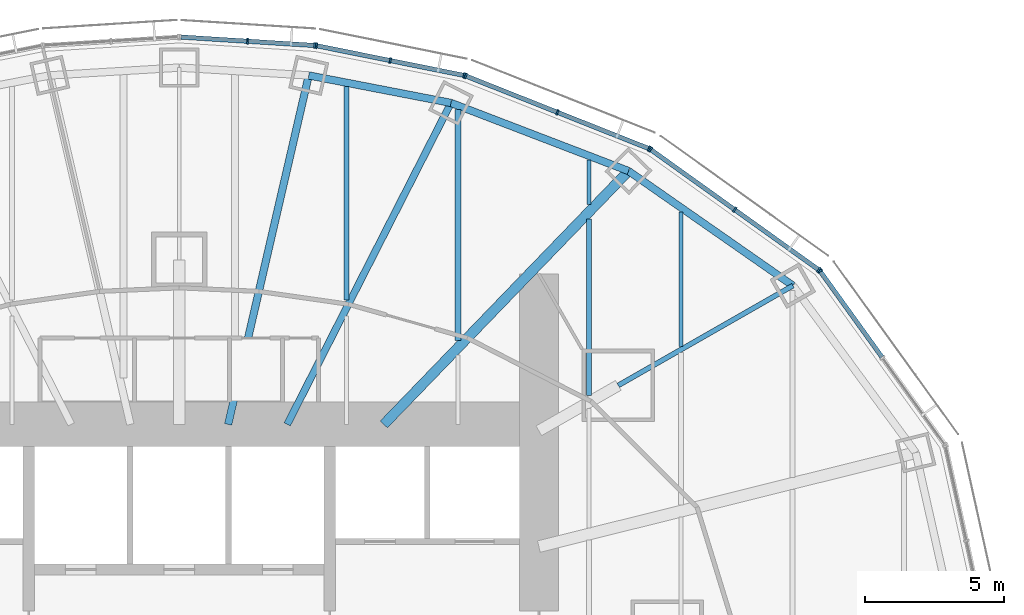
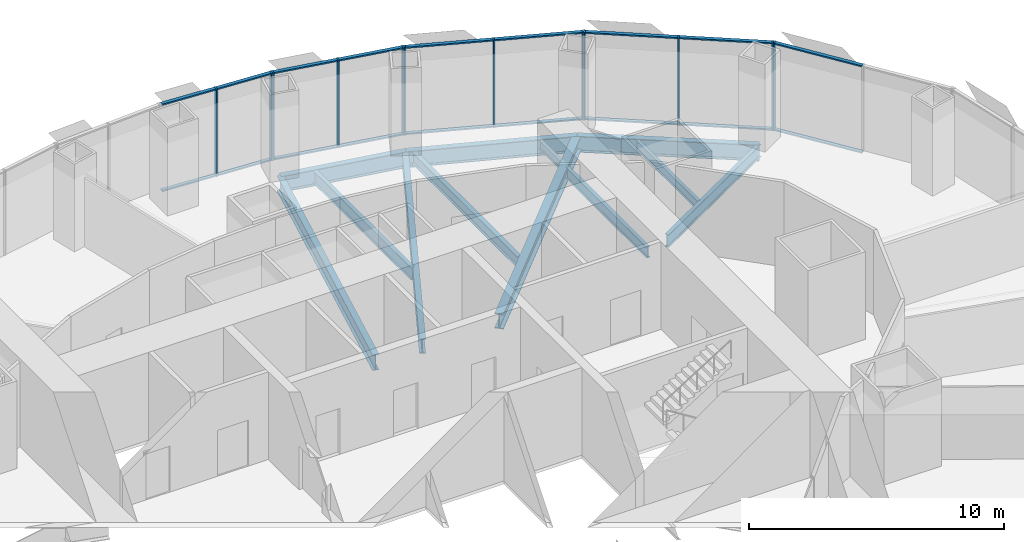
# One storey, part 8 of 18: 30 members, 12 beams, 5 elements without a shape of their own.
"""IFC4 building model written with IfcOpenShell, lengths in metres."""

from ifc_helpers import new_model, si_unit, direction, frame, origin, origin_2d, place, context, subcontext, project, spatial, rectangle, i_section, extrude, material, material_profile, profile_set, type_object, element, aggregate, save


model = new_model("IFC4")

# Units and contexts
model_context = context("Model", 3, precision=1e-05, world=origin(), true_north=direction((0.0, 1.0)))
body_context = subcontext(model_context, "Body", "Model", "MODEL_VIEW")
ifc_project = project(units=[si_unit("LENGTHUNIT", "METRE"), si_unit("AREAUNIT", "SQUARE_METRE"), si_unit("VOLUMEUNIT", "CUBIC_METRE"), si_unit("PLANEANGLEUNIT", "RADIAN"), si_unit("MASSUNIT", "GRAM", prefix="KILO")], contexts=[model_context])

# Site, building, storey
site_placement = place(None, origin())
site = spatial("IfcSite", under=ifc_project, at=site_placement, CompositionType="ELEMENT")
building_placement = place(site_placement, origin())
building = spatial("IfcBuilding", under=site, at=building_placement, Name="Lantaw Convention Tower", CompositionType="ELEMENT")
storey_placement = place(building_placement, frame((0.0, 0.0, 134.199951171875)))
storey = spatial("IfcBuildingStorey", under=building, at=storey_placement, Name="L31", CompositionType="ELEMENT", Elevation=134.199951171875)

# Beams
ifc_material_1 = material(Name="Steel ASTM A992", Category="steel")
ifc_material_profile_1 = material_profile(ifc_material_1, i_section(OverallWidth=0.2666015625, OverallDepth=0.76953125, WebThickness=0.015625, FlangeThickness=0.025390625, FilletRadius=0.0126953125, at=origin_2d()), Name="W30X132")
ifc_profile_set_1 = profile_set([ifc_material_profile_1], Name="Steel ASTM A992")
beam_type_1 = type_object("IfcBeamType", Name="Beam E W30X132", PredefinedType="SPANDREL", material=ifc_profile_set_1)
beam_1_placement = place(storey_placement, frame((22.013916015625, 12.579345703125, -0.53466796875), z_axis=(-0.820310765287, 0.57191804339, 0.0), x_axis=(-0.57191804339, -0.820310765287, 0.0)))
element("IfcBeam", 1, at=beam_1_placement, inside=storey, type_object=beam_type_1, Name="Edge beam 3", PredefinedType="SPANDREL", context=body_context, shape_type="SweptSolid", body=[
    extrude(i_section(OverallWidth=0.2666015625, OverallDepth=0.76953125, WebThickness=0.015625, FlangeThickness=0.025390625, FilletRadius=0.0126953125, at=origin_2d()), origin(), (0.0, 0.0, 1.0), 7.187744140625),
])
beam_2_placement = place(storey_placement, frame((16.11767578125, 16.690185546875, -0.53466796875), z_axis=(-0.933691081977, 0.358079549033, 0.0), x_axis=(-0.358079549033, -0.933691081977, 0.0)))
element("IfcBeam", 2, at=beam_2_placement, inside=storey, type_object=beam_type_1, Name="Edge beam 4", PredefinedType="SPANDREL", context=body_context, shape_type="SweptSolid", body=[
    extrude(i_section(OverallWidth=0.2666015625, OverallDepth=0.76953125, WebThickness=0.015625, FlangeThickness=0.025390625, FilletRadius=0.0126953125, at=origin_2d()), origin(), (0.0, 0.0, 1.0), 6.821533203125),
])
beam_3_placement = place(storey_placement, frame((9.74853515625, 19.1328125, -0.53466796875), z_axis=(-0.981796805654, 0.189934284446, 0.0), x_axis=(-0.189934284446, -0.981796805654, 0.0)))
element("IfcBeam", 3, at=beam_3_placement, inside=storey, type_object=beam_type_1, Name="Edge beam 5", PredefinedType="SPANDREL", context=body_context, shape_type="SweptSolid", body=[
    extrude(i_section(OverallWidth=0.2666015625, OverallDepth=0.76953125, WebThickness=0.015625, FlangeThickness=0.025390625, FilletRadius=0.0126953125, at=origin_2d()), origin(), (0.0, 0.0, 1.0), 5.1982421875),
])
ifc_material_profile_2 = material_profile(ifc_material_1, i_section(OverallWidth=0.177978515625, OverallDepth=0.599365234375, WebThickness=0.010009765625, FlangeThickness=0.012939453125, FilletRadius=0.012939453125, at=origin_2d()), Name="W24X55")
ifc_profile_set_2 = profile_set([ifc_material_profile_2], Name="Steel ASTM A992")
beam_type_2 = type_object("IfcBeamType", Name="Beam G W24X55", PredefinedType="BEAM", material=ifc_profile_set_2)
beam_4_placement = place(storey_placement, frame((15.75, 9.0, -0.44970703125), z_axis=(0.868245224608, 0.496135293993, 0.0), x_axis=(-0.496135293993, 0.868245224608, 0.0)))
element("IfcBeam", 4, at=beam_4_placement, inside=storey, type_object=beam_type_2, Name="Floor girder on ray 3", PredefinedType="BEAM", context=body_context, shape_type="SweptSolid", body=[
    extrude(i_section(OverallWidth=0.177978515625, OverallDepth=0.599365234375, WebThickness=0.010009765625, FlangeThickness=0.012939453125, FilletRadius=0.012939453125, at=origin_2d()), origin(), (0.0, 0.0, 1.0), 7.21435546875),
])
ifc_material_profile_3 = material_profile(ifc_material_1, i_section(OverallWidth=0.25390625, OverallDepth=0.700927734375, WebThickness=0.015380859375, FlangeThickness=0.02783203125, FilletRadius=0.01513671875, at=origin_2d()), Name="W27X129")
ifc_profile_set_3 = profile_set([ifc_material_profile_3], Name="Steel ASTM A992")
beam_type_3 = type_object("IfcBeamType", Name="Beam G W27X129", PredefinedType="BEAM", material=ifc_profile_set_3)
beam_5_placement = place(storey_placement, frame((3.872314453125, 7.60009765625, -0.50048828125), z_axis=(0.453991051051, 0.891006243281, 0.0), x_axis=(-0.891006243281, 0.453991051051, 0.0)))
element("IfcBeam", 5, at=beam_5_placement, inside=storey, type_object=beam_type_3, Name="Floor girder on ray 5", PredefinedType="BEAM", context=body_context, shape_type="SweptSolid", body=[
    extrude(i_section(OverallWidth=0.25390625, OverallDepth=0.700927734375, WebThickness=0.015380859375, FlangeThickness=0.02783203125, FilletRadius=0.01513671875, at=origin_2d()), origin(), (0.0, 0.0, 1.0), 12.943359375),
])
ifc_material_profile_4 = material_profile(ifc_material_1, i_section(OverallWidth=0.360595703125, OverallDepth=0.72900390625, WebThickness=0.023193359375, FlangeThickness=0.041015625, FilletRadius=0.0126953125, at=origin_2d()), Name="W27X235")
ifc_profile_set_4 = profile_set([ifc_material_profile_4], Name="Steel ASTM A992")
beam_type_4 = type_object("IfcBeamType", Name="Beam G W27X235", PredefinedType="BEAM", material=ifc_profile_set_4)
beam_6_placement = place(storey_placement, frame((7.33935546875, 7.60009765625, -0.514404296875), z_axis=(0.694663467407, 0.719334878239, 0.0), x_axis=(-0.719334878239, 0.694663467407, 0.0)))
element("IfcBeam", 6, at=beam_6_placement, inside=storey, type_object=beam_type_4, Name="Floor girder on ray 4", PredefinedType="BEAM", context=body_context, shape_type="SweptSolid", body=[
    extrude(i_section(OverallWidth=0.360595703125, OverallDepth=0.72900390625, WebThickness=0.023193359375, FlangeThickness=0.041015625, FilletRadius=0.0126953125, at=origin_2d()), origin(), (0.0, 0.0, 1.0), 12.63671875),
])
ifc_material_profile_5 = material_profile(ifc_material_1, i_section(OverallWidth=0.2666015625, OverallDepth=0.7568359375, WebThickness=0.013916015625, FlangeThickness=0.019287109375, FilletRadius=0.0126953125, at=origin_2d()), Name="W30X108")
ifc_profile_set_5 = profile_set([ifc_material_profile_5], Name="Steel ASTM A992")
beam_type_5 = type_object("IfcBeamType", Name="Beam G W30X108", PredefinedType="BEAM", material=ifc_profile_set_5)
beam_7_placement = place(storey_placement, frame((1.754638671875, 7.60009765625, -0.5283203125), z_axis=(0.224944153104, 0.974371658036, 0.0), x_axis=(-0.974371658036, 0.224944153104, 0.0)))
element("IfcBeam", 7, at=beam_7_placement, inside=storey, type_object=beam_type_5, Name="Floor girder on ray 6", PredefinedType="BEAM", context=body_context, shape_type="SweptSolid", body=[
    extrude(i_section(OverallWidth=0.2666015625, OverallDepth=0.7568359375, WebThickness=0.013916015625, FlangeThickness=0.019287109375, FilletRadius=0.0126953125, at=origin_2d()), origin(), (0.0, 0.0, 1.0), 12.849365234375),
])
ifc_material_profile_6 = material_profile(ifc_material_1, i_section(OverallWidth=0.140380859375, OverallDepth=0.40380859375, WebThickness=0.007080078125, FlangeThickness=0.01123046875, FilletRadius=0.01025390625, at=origin_2d()), Name="W16X31")
ifc_profile_set_6 = profile_set([ifc_material_profile_6], Name="Steel ASTM A992")
beam_type_6 = type_object("IfcBeamType", Name="Beam J W16X31", PredefinedType="JOIST", material=ifc_profile_set_6)
beam_8_placement = place(storey_placement, frame((14.699951171875, 15.48193359375, -0.351806640625), z_axis=(0.0, 1.0, 0.0), x_axis=(-1.0, 0.0, 0.0)))
element("IfcBeam", 8, at=beam_8_placement, inside=storey, type_object=beam_type_6, Name="Floor joist", PredefinedType="JOIST", context=body_context, shape_type="SweptSolid", body=[
    extrude(i_section(OverallWidth=0.140380859375, OverallDepth=0.40380859375, WebThickness=0.007080078125, FlangeThickness=0.01123046875, FilletRadius=0.01025390625, at=origin_2d()), origin(), (0.0, 0.0, 1.0), 1.609130859375),
])
ifc_material_profile_7 = material_profile(ifc_material_1, i_section(OverallWidth=0.15234375, OverallDepth=0.449462890625, WebThickness=0.007568359375, FlangeThickness=0.0107421875, FilletRadius=0.01025390625, at=origin_2d()), Name="W18X35")
ifc_profile_set_7 = profile_set([ifc_material_profile_7], Name="Steel ASTM A992")
beam_type_7 = type_object("IfcBeamType", Name="Beam J W18X35", PredefinedType="JOIST", material=ifc_profile_set_7)
beam_9_placement = place(storey_placement, frame((18.0, 10.38818359375, -0.374755859375), z_axis=(0.0, 1.0, 0.0), x_axis=(-1.0, 0.0, 0.0)))
element("IfcBeam", 9, at=beam_9_placement, inside=storey, type_object=beam_type_7, Name="Floor joist", PredefinedType="JOIST", context=body_context, shape_type="SweptSolid", body=[
    extrude(i_section(OverallWidth=0.15234375, OverallDepth=0.449462890625, WebThickness=0.007568359375, FlangeThickness=0.0107421875, FilletRadius=0.01025390625, at=origin_2d()), origin(), (0.0, 0.0, 1.0), 4.8271484375),
])
ifc_material_profile_8 = material_profile(ifc_material_1, i_section(OverallWidth=0.1650390625, OverallDepth=0.52587890625, WebThickness=0.0087890625, FlangeThickness=0.011474609375, FilletRadius=0.0126953125, at=origin_2d()), Name="W21X44")
ifc_profile_set_8 = profile_set([ifc_material_profile_8], Name="Steel ASTM A992")
beam_type_8 = type_object("IfcBeamType", Name="Beam J W21X44", PredefinedType="JOIST", material=ifc_profile_set_8)
beam_10_placement = place(storey_placement, frame((14.699951171875, 8.632568359375, -0.412841796875), z_axis=(0.0, 1.0, 0.0), x_axis=(-1.0, 0.0, 0.0)))
element("IfcBeam", 10, at=beam_10_placement, inside=storey, type_object=beam_type_8, Name="Floor joist", PredefinedType="JOIST", context=body_context, shape_type="SweptSolid", body=[
    extrude(i_section(OverallWidth=0.1650390625, OverallDepth=0.52587890625, WebThickness=0.0087890625, FlangeThickness=0.011474609375, FilletRadius=0.0126953125, at=origin_2d()), origin(), (0.0, 0.0, 1.0), 6.330078125),
])
ifc_material_profile_9 = material_profile(ifc_material_1, i_section(OverallWidth=0.2099609375, OverallDepth=0.535888671875, WebThickness=0.010986328125, FlangeThickness=0.017333984375, FilletRadius=0.012939453125, at=origin_2d()), Name="W21X68")
ifc_profile_set_9 = profile_set([ifc_material_profile_9], Name="Steel ASTM A992")
beam_type_9 = type_object("IfcBeamType", Name="Beam J W21X68", PredefinedType="JOIST", material=ifc_profile_set_9)
beam_11_placement = place(storey_placement, frame((10.0, 10.614990234375, -0.41796875), z_axis=(0.0, 1.0, 0.0), x_axis=(-1.0, 0.0, 0.0)))
element("IfcBeam", 11, at=beam_11_placement, inside=storey, type_object=beam_type_9, Name="Floor joist", PredefinedType="JOIST", context=body_context, shape_type="SweptSolid", body=[
    extrude(i_section(OverallWidth=0.2099609375, OverallDepth=0.535888671875, WebThickness=0.010986328125, FlangeThickness=0.017333984375, FilletRadius=0.012939453125, at=origin_2d()), origin(), (0.0, 0.0, 1.0), 8.278564453125),
])
ifc_material_profile_10 = material_profile(ifc_material_1, i_section(OverallWidth=0.177978515625, OverallDepth=0.599365234375, WebThickness=0.010009765625, FlangeThickness=0.012939453125, FilletRadius=0.012939453125, at=origin_2d()), Name="W24X55")
ifc_profile_set_10 = profile_set([ifc_material_profile_10], Name="Steel ASTM A992")
beam_type_10 = type_object("IfcBeamType", Name="Beam J W24X55", PredefinedType="JOIST", material=ifc_profile_set_10)
beam_12_placement = place(storey_placement, frame((6.0, 12.055419921875, -0.44970703125), z_axis=(0.0, 1.0, 0.0), x_axis=(-1.0, 0.0, 0.0)))
element("IfcBeam", 12, at=beam_12_placement, inside=storey, type_object=beam_type_10, Name="Floor joist", PredefinedType="JOIST", context=body_context, shape_type="SweptSolid", body=[
    extrude(i_section(OverallWidth=0.177978515625, OverallDepth=0.599365234375, WebThickness=0.010009765625, FlangeThickness=0.012939453125, FilletRadius=0.012939453125, at=origin_2d()), origin(), (0.0, 0.0, 1.0), 7.666748046875),
])

# Curtain wall, member
ifc_material_2 = material(Name="Aluminium framed curtain wall", Category="aluminium")
curtain_wall_type = type_object("IfcCurtainWallType", Name="Office curtain wall low rise, pale aluminium", PredefinedType="USERDEFINED", material=ifc_material_2)
curtain_wall_1_placement = place(storey_placement, origin())
curtain_wall_1 = element("IfcCurtainWall", 13, at=curtain_wall_1_placement, inside=storey, type_object=curtain_wall_type, Name="Office curtain wall low rise, pale aluminium L31", ObjectType="UNITISED CURTAIN WALL", PredefinedType="USERDEFINED")
ifc_material_3 = material(Name="Aluminium 6063-T6", Category="aluminium")
ifc_material_profile_11 = material_profile(ifc_material_3, rectangle(XDim=0.199951171875, YDim=0.06494140625, at=origin_2d()), Name="CW-O1 mullion 65x200")
ifc_profile_set_11 = profile_set([ifc_material_profile_11], Name="Aluminium 6063-T6")
member_type_1 = type_object("IfcMemberType", Name="CW-O1 mullion 65x200", PredefinedType="MULLION", material=ifc_profile_set_11)
member_1_placement = place(storey_placement, frame((22.988037109375, 13.098876953125, -0.14990234375), z_axis=(0.0, 0.0, 1.0), x_axis=(-0.811384633629, -0.584512597221, 0.0)))
member_1 = element("IfcMember", 14, at=member_1_placement, type_object=member_type_1, Name="CW-O1 mullion 3", PredefinedType="MULLION", context=body_context, shape_type="SweptSolid", body=[
    extrude(rectangle(XDim=0.199951171875, YDim=0.06494140625, at=origin_2d()), origin(), (0.0, 0.0, 1.0), 4.199951171875),
])

# Curtain wall, members
curtain_wall_2_placement = place(storey_placement, origin())
curtain_wall_2 = element("IfcCurtainWall", 15, at=curtain_wall_2_placement, inside=storey, type_object=curtain_wall_type, Name="Office curtain wall low rise, pale aluminium L31", ObjectType="UNITISED CURTAIN WALL", PredefinedType="USERDEFINED")
member_2_placement = place(storey_placement, frame((22.942626953125, 13.14404296875, -0.14990234375), z_axis=(0.0, 0.0, 1.0), x_axis=(-0.581972695693, -0.813208325995, 0.0)))
member_2 = element("IfcMember", 16, at=member_2_placement, type_object=member_type_1, Name="CW-O1 mullion 1", PredefinedType="MULLION", context=body_context, shape_type="SweptSolid", body=[
    extrude(rectangle(XDim=0.199951171875, YDim=0.06494140625, at=origin_2d()), origin(), (0.0, 0.0, 1.0), 4.199951171875),
])
member_3_placement = place(storey_placement, frame((19.92529296875, 15.303466796875, -0.14990234375), z_axis=(0.0, 0.0, 1.0), x_axis=(-0.581972695693, -0.813208325995, 0.0)))
member_3 = element("IfcMember", 17, at=member_3_placement, type_object=member_type_1, Name="CW-O1 mullion 2", PredefinedType="MULLION", context=body_context, shape_type="SweptSolid", body=[
    extrude(rectangle(XDim=0.199951171875, YDim=0.06494140625, at=origin_2d()), origin(), (0.0, 0.0, 1.0), 4.199951171875),
])
member_4_placement = place(storey_placement, frame((16.908203125, 17.462646484375, -0.14990234375), z_axis=(0.0, 0.0, 1.0), x_axis=(-0.581972695693, -0.813208325995, 0.0)))
member_4 = element("IfcMember", 18, at=member_4_placement, type_object=member_type_1, Name="CW-O1 mullion 3", PredefinedType="MULLION", context=body_context, shape_type="SweptSolid", body=[
    extrude(rectangle(XDim=0.199951171875, YDim=0.06494140625, at=origin_2d()), origin(), (0.0, 0.0, 1.0), 4.199951171875),
])

curtain_wall_3_placement = place(storey_placement, origin())
curtain_wall_3 = element("IfcCurtainWall", 19, at=curtain_wall_3_placement, inside=storey, type_object=curtain_wall_type, Name="Office curtain wall low rise, pale aluminium L31", ObjectType="UNITISED CURTAIN WALL", PredefinedType="USERDEFINED")
member_5_placement = place(storey_placement, frame((16.8515625, 17.49365234375, -0.14990234375), z_axis=(0.0, 0.0, 1.0), x_axis=(-0.368701907483, -0.929547687544, 0.0)))
member_5 = element("IfcMember", 20, at=member_5_placement, type_object=member_type_1, Name="CW-O1 mullion 1", PredefinedType="MULLION", context=body_context, shape_type="SweptSolid", body=[
    extrude(rectangle(XDim=0.199951171875, YDim=0.06494140625, at=origin_2d()), origin(), (0.0, 0.0, 1.0), 4.199951171875),
])
member_6_placement = place(storey_placement, frame((13.56494140625, 18.797119140625, -0.14990234375), z_axis=(0.0, 0.0, 1.0), x_axis=(-0.368701907483, -0.929547687544, 0.0)))
member_6 = element("IfcMember", 21, at=member_6_placement, type_object=member_type_1, Name="CW-O1 mullion 2", PredefinedType="MULLION", context=body_context, shape_type="SweptSolid", body=[
    extrude(rectangle(XDim=0.199951171875, YDim=0.06494140625, at=origin_2d()), origin(), (0.0, 0.0, 1.0), 4.199951171875),
])
member_7_placement = place(storey_placement, frame((10.2783203125, 20.100830078125, -0.14990234375), z_axis=(0.0, 0.0, 1.0), x_axis=(-0.368701907483, -0.929547687544, 0.0)))
member_7 = element("IfcMember", 22, at=member_7_placement, type_object=member_type_1, Name="CW-O1 mullion 3", PredefinedType="MULLION", context=body_context, shape_type="SweptSolid", body=[
    extrude(rectangle(XDim=0.199951171875, YDim=0.06494140625, at=origin_2d()), origin(), (0.0, 0.0, 1.0), 4.199951171875),
])

curtain_wall_4_placement = place(storey_placement, origin())
curtain_wall_4 = element("IfcCurtainWall", 23, at=curtain_wall_4_placement, inside=storey, type_object=curtain_wall_type, Name="Office curtain wall low rise, pale aluminium L31", ObjectType="UNITISED CURTAIN WALL", PredefinedType="USERDEFINED")
member_8_placement = place(storey_placement, frame((10.216064453125, 20.119140625, -0.14990234375), z_axis=(0.0, 0.0, 1.0), x_axis=(-0.197506809659, -0.980301514912, 0.0)))
member_8 = element("IfcMember", 24, at=member_8_placement, type_object=member_type_1, Name="CW-O1 mullion 1", PredefinedType="MULLION", context=body_context, shape_type="SweptSolid", body=[
    extrude(rectangle(XDim=0.199951171875, YDim=0.06494140625, at=origin_2d()), origin(), (0.0, 0.0, 1.0), 4.199951171875),
])
member_9_placement = place(storey_placement, frame((7.5703125, 20.65234375, -0.14990234375), z_axis=(0.0, 0.0, 1.0), x_axis=(-0.197506809659, -0.980301514912, 0.0)))
member_9 = element("IfcMember", 25, at=member_9_placement, type_object=member_type_1, Name="CW-O1 mullion 2", PredefinedType="MULLION", context=body_context, shape_type="SweptSolid", body=[
    extrude(rectangle(XDim=0.199951171875, YDim=0.06494140625, at=origin_2d()), origin(), (0.0, 0.0, 1.0), 4.199951171875),
])
member_10_placement = place(storey_placement, frame((4.92431640625, 21.185302734375, -0.14990234375), z_axis=(0.0, 0.0, 1.0), x_axis=(-0.197506809659, -0.980301514912, 0.0)))
member_10 = element("IfcMember", 26, at=member_10_placement, type_object=member_type_1, Name="CW-O1 mullion 3", PredefinedType="MULLION", context=body_context, shape_type="SweptSolid", body=[
    extrude(rectangle(XDim=0.199951171875, YDim=0.06494140625, at=origin_2d()), origin(), (0.0, 0.0, 1.0), 4.199951171875),
])

curtain_wall_5_placement = place(storey_placement, origin())
curtain_wall_5 = element("IfcCurtainWall", 27, at=curtain_wall_5_placement, inside=storey, type_object=curtain_wall_type, Name="Office curtain wall low rise, pale aluminium L31", ObjectType="UNITISED CURTAIN WALL", PredefinedType="USERDEFINED")
member_11_placement = place(storey_placement, frame((4.860107421875, 21.19384765625, -0.14990234375), z_axis=(0.0, 0.0, 1.0), x_axis=(-0.062865059466, -0.998022035978, 0.0)))
member_11 = element("IfcMember", 28, at=member_11_placement, type_object=member_type_1, Name="CW-O1 mullion 1", PredefinedType="MULLION", context=body_context, shape_type="SweptSolid", body=[
    extrude(rectangle(XDim=0.199951171875, YDim=0.06494140625, at=origin_2d()), origin(), (0.0, 0.0, 1.0), 4.199951171875),
])
member_12_placement = place(storey_placement, frame((2.4462890625, 21.345947265625, -0.14990234375), z_axis=(0.0, 0.0, 1.0), x_axis=(-0.062865059466, -0.998022035978, 0.0)))
member_12 = element("IfcMember", 29, at=member_12_placement, type_object=member_type_1, Name="CW-O1 mullion 2", PredefinedType="MULLION", context=body_context, shape_type="SweptSolid", body=[
    extrude(rectangle(XDim=0.199951171875, YDim=0.06494140625, at=origin_2d()), origin(), (0.0, 0.0, 1.0), 4.199951171875),
])

# Member
ifc_material_profile_12 = material_profile(ifc_material_3, rectangle(XDim=0.159912109375, YDim=0.06494140625, at=origin_2d()), Name="CW-O1 transom 65x160")
ifc_profile_set_12 = profile_set([ifc_material_profile_12], Name="Aluminium 6063-T6")
member_type_2 = type_object("IfcMemberType", Name="CW-O1 transom 65x160", PredefinedType="USERDEFINED", material=ifc_profile_set_12)
member_13_placement = place(storey_placement, frame((25.209228515625, 10.015625, -0.117431640625), z_axis=(-0.584512973979, 0.811384362217, 0.0), x_axis=(-0.811384362217, -0.584512973979, 0.0)))
member_13 = element("IfcMember", 30, at=member_13_placement, type_object=member_type_2, Name="CW-O1 transom 2.1", ObjectType="TRANSOM", PredefinedType="USERDEFINED", context=body_context, shape_type="SweptSolid", body=[
    extrude(rectangle(XDim=0.159912109375, YDim=0.06494140625, at=origin_2d()), origin(), (0.0, 0.0, 1.0), 3.767578125),
])

member_14_placement = place(storey_placement, frame((25.209228515625, 10.015625, 4.017578125), z_axis=(-0.584512973979, 0.811384362217, 0.0), x_axis=(-0.811384362217, -0.584512973979, 0.0)))
member_14 = element("IfcMember", 31, at=member_14_placement, type_object=member_type_2, Name="CW-O1 transom 2.2", ObjectType="TRANSOM", PredefinedType="USERDEFINED", context=body_context, shape_type="SweptSolid", body=[
    extrude(rectangle(XDim=0.159912109375, YDim=0.06494140625, at=origin_2d()), origin(), (0.0, 0.0, 1.0), 3.767578125),
])

aggregate(curtain_wall_1, [member_1, member_13, member_14])

member_15_placement = place(storey_placement, frame((22.916259765625, 13.1630859375, -0.117431640625), z_axis=(-0.813221785972, 0.581953887194, 0.0), x_axis=(-0.581953887194, -0.813221785972, 0.0)))
member_15 = element("IfcMember", 32, at=member_15_placement, type_object=member_type_2, Name="CW-O1 transom 1.1", ObjectType="TRANSOM", PredefinedType="USERDEFINED", context=body_context, shape_type="SweptSolid", body=[
    extrude(rectangle(XDim=0.159912109375, YDim=0.06494140625, at=origin_2d()), origin(), (0.0, 0.0, 1.0), 3.645263671875),
])

member_16_placement = place(storey_placement, frame((22.916259765625, 13.1630859375, 4.017578125), z_axis=(-0.813221785972, 0.581953887194, 0.0), x_axis=(-0.581953887194, -0.813221785972, 0.0)))
member_16 = element("IfcMember", 33, at=member_16_placement, type_object=member_type_2, Name="CW-O1 transom 1.2", ObjectType="TRANSOM", PredefinedType="USERDEFINED", context=body_context, shape_type="SweptSolid", body=[
    extrude(rectangle(XDim=0.159912109375, YDim=0.06494140625, at=origin_2d()), origin(), (0.0, 0.0, 1.0), 3.645263671875),
])

member_17_placement = place(storey_placement, frame((19.89892578125, 15.322265625, -0.117431640625), z_axis=(-0.813190089133, 0.581998177777, 0.0), x_axis=(-0.581998177777, -0.813190089133, 0.0)))
member_17 = element("IfcMember", 34, at=member_17_placement, type_object=member_type_2, Name="CW-O1 transom 2.1", ObjectType="TRANSOM", PredefinedType="USERDEFINED", context=body_context, shape_type="SweptSolid", body=[
    extrude(rectangle(XDim=0.159912109375, YDim=0.06494140625, at=origin_2d()), origin(), (0.0, 0.0, 1.0), 3.645263671875),
])

member_18_placement = place(storey_placement, frame((19.89892578125, 15.322265625, 4.017578125), z_axis=(-0.813190089133, 0.581998177777, 0.0), x_axis=(-0.581998177777, -0.813190089133, 0.0)))
member_18 = element("IfcMember", 35, at=member_18_placement, type_object=member_type_2, Name="CW-O1 transom 2.2", ObjectType="TRANSOM", PredefinedType="USERDEFINED", context=body_context, shape_type="SweptSolid", body=[
    extrude(rectangle(XDim=0.159912109375, YDim=0.06494140625, at=origin_2d()), origin(), (0.0, 0.0, 1.0), 3.645263671875),
])

aggregate(curtain_wall_2, [member_2, member_3, member_4, member_15, member_16, member_17, member_18])

member_19_placement = place(storey_placement, frame((16.8212890625, 17.505615234375, -0.117431640625), z_axis=(-0.929564188507, 0.368660303592, 0.0), x_axis=(-0.368660303592, -0.929564188507, 0.0)))
member_19 = element("IfcMember", 36, at=member_19_placement, type_object=member_type_2, Name="CW-O1 transom 1.1", ObjectType="TRANSOM", PredefinedType="USERDEFINED", context=body_context, shape_type="SweptSolid", body=[
    extrude(rectangle(XDim=0.159912109375, YDim=0.06494140625, at=origin_2d()), origin(), (0.0, 0.0, 1.0), 3.470703125),
])

member_20_placement = place(storey_placement, frame((16.8212890625, 17.505615234375, 4.017578125), z_axis=(-0.929564188507, 0.368660303592, 0.0), x_axis=(-0.368660303592, -0.929564188507, 0.0)))
member_20 = element("IfcMember", 37, at=member_20_placement, type_object=member_type_2, Name="CW-O1 transom 1.2", ObjectType="TRANSOM", PredefinedType="USERDEFINED", context=body_context, shape_type="SweptSolid", body=[
    extrude(rectangle(XDim=0.159912109375, YDim=0.06494140625, at=origin_2d()), origin(), (0.0, 0.0, 1.0), 3.470703125),
])

member_21_placement = place(storey_placement, frame((13.53466796875, 18.80908203125, -0.117431640625), z_axis=(-0.929540081544, 0.368721082668, 0.0), x_axis=(-0.368721082668, -0.929540081544, 0.0)))
member_21 = element("IfcMember", 38, at=member_21_placement, type_object=member_type_2, Name="CW-O1 transom 2.1", ObjectType="TRANSOM", PredefinedType="USERDEFINED", context=body_context, shape_type="SweptSolid", body=[
    extrude(rectangle(XDim=0.159912109375, YDim=0.06494140625, at=origin_2d()), origin(), (0.0, 0.0, 1.0), 3.470947265625),
])

member_22_placement = place(storey_placement, frame((13.53466796875, 18.80908203125, 4.017578125), z_axis=(-0.929540081544, 0.368721082668, 0.0), x_axis=(-0.368721082668, -0.929540081544, 0.0)))
member_22 = element("IfcMember", 39, at=member_22_placement, type_object=member_type_2, Name="CW-O1 transom 2.2", ObjectType="TRANSOM", PredefinedType="USERDEFINED", context=body_context, shape_type="SweptSolid", body=[
    extrude(rectangle(XDim=0.159912109375, YDim=0.06494140625, at=origin_2d()), origin(), (0.0, 0.0, 1.0), 3.470947265625),
])

aggregate(curtain_wall_3, [member_5, member_6, member_7, member_19, member_20, member_21, member_22])

member_23_placement = place(storey_placement, frame((10.184326171875, 20.125732421875, -0.117431640625), z_axis=(-0.980301643003, 0.197506173891, 0.0), x_axis=(-0.197506173891, -0.980301643003, 0.0)))
member_23 = element("IfcMember", 40, at=member_23_placement, type_object=member_type_2, Name="CW-O1 transom 1.1", ObjectType="TRANSOM", PredefinedType="USERDEFINED", context=body_context, shape_type="SweptSolid", body=[
    extrude(rectangle(XDim=0.159912109375, YDim=0.06494140625, at=origin_2d()), origin(), (0.0, 0.0, 1.0), 2.63427734375),
])

member_24_placement = place(storey_placement, frame((10.184326171875, 20.125732421875, 4.017578125), z_axis=(-0.980301643003, 0.197506173891, 0.0), x_axis=(-0.197506173891, -0.980301643003, 0.0)))
member_24 = element("IfcMember", 41, at=member_24_placement, type_object=member_type_2, Name="CW-O1 transom 1.2", ObjectType="TRANSOM", PredefinedType="USERDEFINED", context=body_context, shape_type="SweptSolid", body=[
    extrude(rectangle(XDim=0.159912109375, YDim=0.06494140625, at=origin_2d()), origin(), (0.0, 0.0, 1.0), 2.63427734375),
])

member_25_placement = place(storey_placement, frame((7.538330078125, 20.65869140625, -0.117431640625), z_axis=(-0.980298027092, 0.197524120247, 0.0), x_axis=(-0.197524120247, -0.980298027092, 0.0)))
member_25 = element("IfcMember", 42, at=member_25_placement, type_object=member_type_2, Name="CW-O1 transom 2.1", ObjectType="TRANSOM", PredefinedType="USERDEFINED", context=body_context, shape_type="SweptSolid", body=[
    extrude(rectangle(XDim=0.159912109375, YDim=0.06494140625, at=origin_2d()), origin(), (0.0, 0.0, 1.0), 2.634033203125),
])

member_26_placement = place(storey_placement, frame((7.538330078125, 20.65869140625, 4.017578125), z_axis=(-0.980298027092, 0.197524120247, 0.0), x_axis=(-0.197524120247, -0.980298027092, 0.0)))
member_26 = element("IfcMember", 43, at=member_26_placement, type_object=member_type_2, Name="CW-O1 transom 2.2", ObjectType="TRANSOM", PredefinedType="USERDEFINED", context=body_context, shape_type="SweptSolid", body=[
    extrude(rectangle(XDim=0.159912109375, YDim=0.06494140625, at=origin_2d()), origin(), (0.0, 0.0, 1.0), 2.634033203125),
])

aggregate(curtain_wall_4, [member_8, member_9, member_10, member_23, member_24, member_25, member_26])

member_27_placement = place(storey_placement, frame((4.82763671875, 21.19580078125, -0.117431640625), z_axis=(-0.998022188463, 0.062862638625, 0.0), x_axis=(-0.062862638625, -0.998022188463, 0.0)))
member_27 = element("IfcMember", 44, at=member_27_placement, type_object=member_type_2, Name="CW-O1 transom 1.1", ObjectType="TRANSOM", PredefinedType="USERDEFINED", context=body_context, shape_type="SweptSolid", body=[
    extrude(rectangle(XDim=0.159912109375, YDim=0.06494140625, at=origin_2d()), origin(), (0.0, 0.0, 1.0), 2.353515625),
])

member_28_placement = place(storey_placement, frame((4.82763671875, 21.19580078125, 4.017578125), z_axis=(-0.998022188463, 0.062862638625, 0.0), x_axis=(-0.062862638625, -0.998022188463, 0.0)))
member_28 = element("IfcMember", 45, at=member_28_placement, type_object=member_type_2, Name="CW-O1 transom 1.2", ObjectType="TRANSOM", PredefinedType="USERDEFINED", context=body_context, shape_type="SweptSolid", body=[
    extrude(rectangle(XDim=0.159912109375, YDim=0.06494140625, at=origin_2d()), origin(), (0.0, 0.0, 1.0), 2.353515625),
])

member_29_placement = place(storey_placement, frame((2.413818359375, 21.347900390625, -0.117431640625), z_axis=(-0.998022188463, 0.062862638625, 0.0), x_axis=(-0.062862638625, -0.998022188463, 0.0)))
member_29 = element("IfcMember", 46, at=member_29_placement, type_object=member_type_2, Name="CW-O1 transom 2.1", ObjectType="TRANSOM", PredefinedType="USERDEFINED", context=body_context, shape_type="SweptSolid", body=[
    extrude(rectangle(XDim=0.159912109375, YDim=0.06494140625, at=origin_2d()), origin(), (0.0, 0.0, 1.0), 2.353515625),
])

member_30_placement = place(storey_placement, frame((2.413818359375, 21.347900390625, 4.017578125), z_axis=(-0.998022188463, 0.062862638625, 0.0), x_axis=(-0.062862638625, -0.998022188463, 0.0)))
member_30 = element("IfcMember", 47, at=member_30_placement, type_object=member_type_2, Name="CW-O1 transom 2.2", ObjectType="TRANSOM", PredefinedType="USERDEFINED", context=body_context, shape_type="SweptSolid", body=[
    extrude(rectangle(XDim=0.159912109375, YDim=0.06494140625, at=origin_2d()), origin(), (0.0, 0.0, 1.0), 2.353515625),
])

aggregate(curtain_wall_5, [member_11, member_12, member_27, member_28, member_29, member_30])

save(model, "model.ifc")
